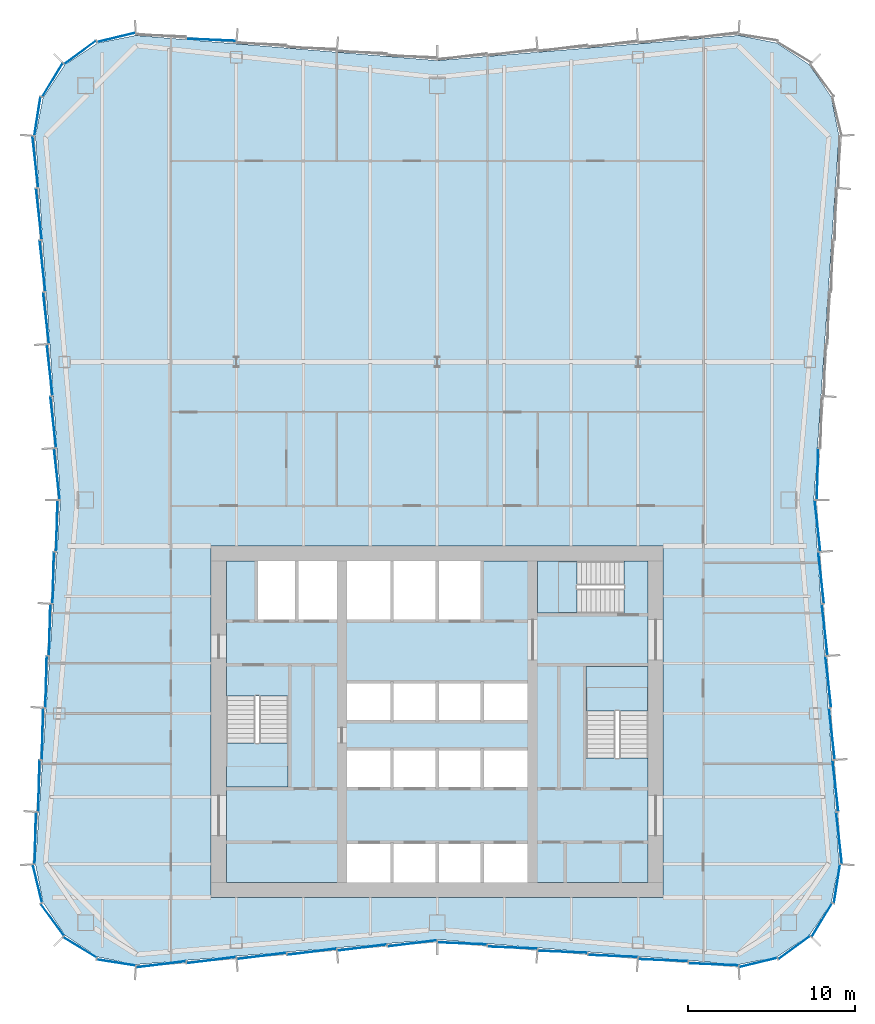
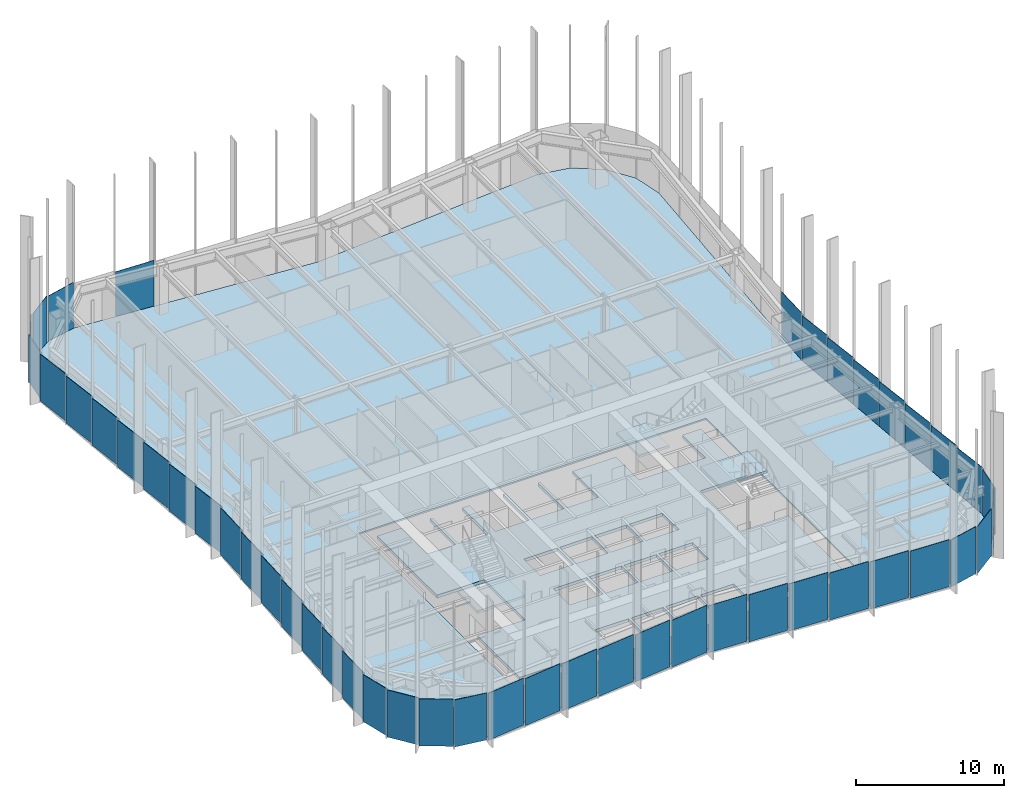
# One storey, part 8 of 13: 47 plates, 5 slabs, 10 elements without a shape of their own.
"""IFC4 building model written with IfcOpenShell, lengths in metres."""

from ifc_helpers import new_model, si_unit, direction, frame, origin, origin_2d, place, context, subcontext, project, spatial, polyline, rectangle, outline, extrude, material, layer, layer_set, type_object, element, aggregate, save


model = new_model("IFC4")

# Units and contexts
model_context = context("Model", 3, precision=1e-05, world=origin(), true_north=direction((0.0, 1.0)))
body_context = subcontext(model_context, "Body", "Model", "MODEL_VIEW")
ifc_project = project(units=[si_unit("LENGTHUNIT", "METRE"), si_unit("AREAUNIT", "SQUARE_METRE"), si_unit("VOLUMEUNIT", "CUBIC_METRE"), si_unit("PLANEANGLEUNIT", "RADIAN"), si_unit("MASSUNIT", "GRAM", prefix="KILO")], contexts=[model_context])

# Site, building, storey
site_placement = place(None, origin())
site = spatial("IfcSite", under=ifc_project, at=site_placement, CompositionType="ELEMENT")
building_placement = place(site_placement, origin())
building = spatial("IfcBuilding", under=site, at=building_placement, Name="Verdant Reach Tower", CompositionType="ELEMENT")
storey_placement = place(building_placement, frame((0.0, 0.0, 182.0)))
storey = spatial("IfcBuildingStorey", under=building, at=storey_placement, Name="L41", CompositionType="ELEMENT", Elevation=182.0)

# Stair, slab
ifc_material_1 = material(Name="Concrete C40/50", Category="concrete")
stair_type = type_object("IfcStairType", Name="CO-STAIR", PredefinedType="HALF_TURN_STAIR", material=ifc_material_1)
stair_1_placement = place(storey_placement, origin())
stair_1 = element("IfcStair", 1, at=stair_1_placement, inside=storey, type_object=stair_type, Name="L41 Exit stair 1", PredefinedType="HALF_TURN_STAIR")
ifc_layer_1 = layer(ifc_material_1, 0.199951171875)
ifc_layer_set_1 = layer_set([ifc_layer_1], Name="CO-STAIR-LANDING")
slab_type_1 = type_object("IfcSlabType", Name="CO-STAIR-LANDING", PredefinedType="LANDING", material=ifc_layer_set_1)
slab_1_placement = place(storey_placement, frame((0.0, 0.0, 1.800048828125)))
slab_1 = element("IfcSlab", 2, at=slab_1_placement, type_object=slab_type_1, Name="ST-1 landing 1", PredefinedType="LANDING", context=body_context, shape_type="SweptSolid", body=[
    extrude(outline(polyline([(-12.60009765625, 26.75), (-12.60009765625, 24.10009765625), (-8.89990234375, 24.10009765625), (-8.89990234375, 26.75), (-12.60009765625, 26.75)])), origin(), (0.0, 0.0, 1.0), 0.199951171875),
])
aggregate(stair_1, [slab_1])

stair_2_placement = place(storey_placement, origin())
stair_2 = element("IfcStair", 3, at=stair_2_placement, inside=storey, type_object=stair_type, Name="L41 Exit stair 2", PredefinedType="HALF_TURN_STAIR")
slab_2_placement = place(storey_placement, frame((0.0, 0.0, 1.800048828125)))
slab_2 = element("IfcSlab", 4, at=slab_2_placement, type_object=slab_type_1, Name="ST-2 landing 1", PredefinedType="LANDING", context=body_context, shape_type="SweptSolid", body=[
    extrude(outline(polyline([(12.60009765625, 28.64990234375), (12.60009765625, 31.300048828125), (8.89990234375, 31.300048828125), (8.89990234375, 28.64990234375), (12.60009765625, 28.64990234375)])), origin(), (0.0, 0.0, 1.0), 0.199951171875),
])
aggregate(stair_2, [slab_2])

stair_3_placement = place(storey_placement, origin())
stair_3 = element("IfcStair", 5, at=stair_3_placement, inside=storey, type_object=stair_type, Name="L41 Exit stair 3", PredefinedType="HALF_TURN_STAIR")
slab_3_placement = place(storey_placement, frame((0.0, 0.0, 1.800048828125)))
slab_3 = element("IfcSlab", 6, at=slab_3_placement, type_object=slab_type_1, Name="ST-3 landing 1", PredefinedType="LANDING", context=body_context, shape_type="SweptSolid", body=[
    extrude(outline(polyline([(8.35009765625, 37.60009765625), (6.0, 37.60009765625), (6.0, 34.5), (8.35009765625, 34.5), (8.35009765625, 37.60009765625)])), origin(), (0.0, 0.0, 1.0), 0.199951171875),
])
aggregate(stair_3, [slab_3])

# Curtain wall, plates
ifc_material_2 = material(Name="Anodised aluminium", Category="aluminium")
curtain_wall_type = type_object("IfcCurtainWallType", Name="EN-CW SYSTEM Z3", PredefinedType="NOTDEFINED", material=ifc_material_2)
curtain_wall_1_placement = place(storey_placement, origin())
curtain_wall_1 = element("IfcCurtainWall", 7, at=curtain_wall_1_placement, inside=storey, type_object=curtain_wall_type, Name="Curtain wall south-east corner, L41", PredefinedType="NOTDEFINED")
ifc_material_3 = material(Name="Tinted glass with champagne spandrel", Category="glass")
ifc_layer_2 = layer(ifc_material_3, 0.031982421875)
ifc_layer_set_2 = layer_set([ifc_layer_2], Name="EN-PANEL CHAMPAGNE")
plate_type_1 = type_object("IfcPlateType", Name="EN-PANEL CHAMPAGNE", PredefinedType="CURTAIN_PANEL", material=ifc_layer_set_2)
plate_1_placement = place(storey_placement, frame((19.171875, 13.62353515625, -0.22412109375), z_axis=(0.0, 0.0, 1.0), x_axis=(0.971655117833, 0.236402901821, 0.0)))
plate_1 = element("IfcPlate", 8, at=plate_1_placement, type_object=plate_type_1, Name="Glass panel south-east corner 1.1, L41", PredefinedType="CURTAIN_PANEL", context=body_context, shape_type="SweptSolid", body=[
    extrude(rectangle(XDim=2.3154296875, YDim=0.031982421875, at=origin_2d()), origin(), (0.0, 0.0, 1.0), 3.8740234375),
])
plate_2_placement = place(storey_placement, frame((21.328857421875, 14.51806640625, -0.22412109375), z_axis=(0.0, 0.0, 1.0), x_axis=(0.807456768214, 0.589926747542, 0.0)))
plate_2 = element("IfcPlate", 9, at=plate_2_placement, type_object=plate_type_1, Name="Glass panel south-east corner 2.1, L41", PredefinedType="CURTAIN_PANEL", context=body_context, shape_type="SweptSolid", body=[
    extrude(rectangle(XDim=2.321533203125, YDim=0.031982421875, at=origin_2d()), origin(), (0.0, 0.0, 1.0), 3.8740234375),
])
plate_3_placement = place(storey_placement, frame((22.98193359375, 16.171142578125, -0.22412109375), z_axis=(0.0, 0.0, 1.0), x_axis=(0.520291550457, 0.853988701636, 0.0)))
plate_3 = element("IfcPlate", 10, at=plate_3_placement, type_object=plate_type_1, Name="Glass panel south-east corner 3.1, L41", PredefinedType="CURTAIN_PANEL", context=body_context, shape_type="SweptSolid", body=[
    extrude(rectangle(XDim=2.321533203125, YDim=0.031982421875, at=origin_2d()), origin(), (0.0, 0.0, 1.0), 3.8740234375),
])

curtain_wall_2_placement = place(storey_placement, origin())
curtain_wall_2 = element("IfcCurtainWall", 11, at=curtain_wall_2_placement, inside=storey, type_object=curtain_wall_type, Name="Curtain wall east, L41", PredefinedType="NOTDEFINED")
plate_4_placement = place(storey_placement, frame((24.001708984375, 21.053955078125, -0.22412109375), z_axis=(0.0, 0.0, 1.0), x_axis=(-0.110214229533, 0.993907854687, 0.0)))
plate_4 = element("IfcPlate", 12, at=plate_4_placement, type_object=plate_type_1, Name="Glass panel east face part 1 1.1, L41", PredefinedType="CURTAIN_PANEL", context=body_context, shape_type="SweptSolid", body=[
    extrude(rectangle(XDim=3.06689453125, YDim=0.031982421875, at=origin_2d()), origin(), (0.0, 0.0, 1.0), 3.8740234375),
])
plate_5_placement = place(storey_placement, frame((22.716064453125, 39.7001953125, -0.22412109375), z_axis=(0.0, 0.0, 1.0), x_axis=(-0.110600785385, 0.993864913493, 0.0)))
plate_5 = element("IfcPlate", 13, at=plate_5_placement, type_object=plate_type_1, Name="Glass panel east face part 1 7.1, L41", PredefinedType="CURTAIN_PANEL", context=body_context, shape_type="SweptSolid", body=[
    extrude(rectangle(XDim=3.044921875, YDim=0.031982421875, at=origin_2d()), origin(), (0.0, 0.0, 1.0), 3.8740234375),
])
plate_6_placement = place(storey_placement, frame((22.716064453125, 42.7998046875, -0.22412109375), z_axis=(0.0, 0.0, 1.0), x_axis=(0.027048420339, 0.999634124546, 0.0)))
plate_6 = element("IfcPlate", 14, at=plate_6_placement, type_object=plate_type_1, Name="Glass panel east face part 2 1.1, L41", PredefinedType="CURTAIN_PANEL", context=body_context, shape_type="SweptSolid", body=[
    extrude(rectangle(XDim=3.044921875, YDim=0.031982421875, at=origin_2d()), origin(), (0.0, 0.0, 1.0), 3.8740234375),
])

curtain_wall_3_placement = place(storey_placement, origin())
curtain_wall_3 = element("IfcCurtainWall", 15, at=curtain_wall_3_placement, inside=storey, type_object=curtain_wall_type, Name="Curtain wall west, L41", PredefinedType="NOTDEFINED")
plate_7_placement = place(storey_placement, frame((-23.572998046875, 55.224609375, -0.22412109375), z_axis=(0.0, 0.0, 1.0), x_axis=(0.110518162674, -0.993874104562, 0.0)))
plate_7 = element("IfcPlate", 16, at=plate_7_placement, type_object=plate_type_1, Name="Glass panel west face part 1 3.1, L41", PredefinedType="CURTAIN_PANEL", context=body_context, shape_type="SweptSolid", body=[
    extrude(rectangle(XDim=3.052490234375, YDim=0.031982421875, at=origin_2d()), origin(), (0.0, 0.0, 1.0), 3.8740234375),
])
plate_8_placement = place(storey_placement, frame((-23.358642578125, 52.117431640625, -0.22412109375), z_axis=(0.0, 0.0, 1.0), x_axis=(0.110518162674, -0.993874104562, 0.0)))
plate_8 = element("IfcPlate", 17, at=plate_8_placement, type_object=plate_type_1, Name="Glass panel west face part 1 4.1, L41", PredefinedType="CURTAIN_PANEL", context=body_context, shape_type="SweptSolid", body=[
    extrude(rectangle(XDim=3.052490234375, YDim=0.031982421875, at=origin_2d()), origin(), (0.0, 0.0, 1.0), 3.8740234375),
])
plate_9_placement = place(storey_placement, frame((-23.14453125, 49.01025390625, -0.22412109375), z_axis=(0.0, 0.0, 1.0), x_axis=(0.110518162674, -0.993874104562, 0.0)))
plate_9 = element("IfcPlate", 18, at=plate_9_placement, type_object=plate_type_1, Name="Glass panel west face part 1 5.1, L41", PredefinedType="CURTAIN_PANEL", context=body_context, shape_type="SweptSolid", body=[
    extrude(rectangle(XDim=3.052490234375, YDim=0.031982421875, at=origin_2d()), origin(), (0.0, 0.0, 1.0), 3.8740234375),
])
plate_10_placement = place(storey_placement, frame((-23.572998046875, 27.275390625, -0.22412109375), z_axis=(0.0, 0.0, 1.0), x_axis=(-0.026965318308, -0.999636369691, 0.0)))
plate_10 = element("IfcPlate", 19, at=plate_10_placement, type_object=plate_type_1, Name="Glass panel west face part 2 5.1, L41", PredefinedType="CURTAIN_PANEL", context=body_context, shape_type="SweptSolid", body=[
    extrude(rectangle(XDim=3.052490234375, YDim=0.031982421875, at=origin_2d()), origin(), (0.0, 0.0, 1.0), 3.8740234375),
])
plate_11_placement = place(storey_placement, frame((-23.787353515625, 24.168212890625, -0.22412109375), z_axis=(0.0, 0.0, 1.0), x_axis=(-0.026965318308, -0.999636369691, 0.0)))
plate_11 = element("IfcPlate", 20, at=plate_11_placement, type_object=plate_type_1, Name="Glass panel west face part 2 6.1, L41", PredefinedType="CURTAIN_PANEL", context=body_context, shape_type="SweptSolid", body=[
    extrude(rectangle(XDim=3.052490234375, YDim=0.031982421875, at=origin_2d()), origin(), (0.0, 0.0, 1.0), 3.8740234375),
])

curtain_wall_4_placement = place(storey_placement, origin())
curtain_wall_4 = element("IfcCurtainWall", 21, at=curtain_wall_4_placement, inside=storey, type_object=curtain_wall_type, Name="Curtain wall south-west corner, L41", PredefinedType="NOTDEFINED")
plate_12_placement = place(storey_placement, frame((-21.328857421875, 14.51806640625, -0.22412109375), z_axis=(0.0, 0.0, 1.0), x_axis=(0.853988701636, -0.520291550457, 0.0)))
plate_12 = element("IfcPlate", 22, at=plate_12_placement, type_object=plate_type_1, Name="Glass panel south-west corner 3.1, L41", PredefinedType="CURTAIN_PANEL", context=body_context, shape_type="SweptSolid", body=[
    extrude(rectangle(XDim=2.321533203125, YDim=0.031982421875, at=origin_2d()), origin(), (0.0, 0.0, 1.0), 3.8740234375),
])
plate_13_placement = place(storey_placement, frame((-19.171875, 13.62353515625, -0.22412109375), z_axis=(0.0, 0.0, 1.0), x_axis=(0.988029071555, -0.154267798848, 0.0)))
plate_13 = element("IfcPlate", 23, at=plate_13_placement, type_object=plate_type_1, Name="Glass panel south-west corner 4.1, L41", PredefinedType="CURTAIN_PANEL", context=body_context, shape_type="SweptSolid", body=[
    extrude(rectangle(XDim=2.3154296875, YDim=0.031982421875, at=origin_2d()), origin(), (0.0, 0.0, 1.0), 3.8740234375),
])

curtain_wall_5_placement = place(storey_placement, origin())
curtain_wall_5 = element("IfcCurtainWall", 24, at=curtain_wall_5_placement, inside=storey, type_object=curtain_wall_type, Name="Curtain wall south, L41", PredefinedType="NOTDEFINED")
plate_14_placement = place(storey_placement, frame((-16.49853515625, 13.516357421875, -0.22412109375), z_axis=(0.0, 0.0, 1.0), x_axis=(0.992237766434, 0.124355196363, 0.0)))
plate_14 = element("IfcPlate", 25, at=plate_14_placement, type_object=plate_type_1, Name="Glass panel south face part 1 1.1, L41", PredefinedType="CURTAIN_PANEL", context=body_context, shape_type="SweptSolid", body=[
    extrude(rectangle(XDim=2.963623046875, YDim=0.031982421875, at=origin_2d()), origin(), (0.0, 0.0, 1.0), 3.8740234375),
])
plate_15_placement = place(storey_placement, frame((-13.490966796875, 13.766357421875, -0.22412109375), z_axis=(0.0, 0.0, 1.0), x_axis=(0.992194034542, 0.124703639961, 0.0)))
plate_15 = element("IfcPlate", 26, at=plate_15_placement, type_object=plate_type_1, Name="Glass panel south face part 1 2.1, L41", PredefinedType="CURTAIN_PANEL", context=body_context, shape_type="SweptSolid", body=[
    extrude(rectangle(XDim=2.948486328125, YDim=0.031982421875, at=origin_2d()), origin(), (0.0, 0.0, 1.0), 3.8740234375),
])
plate_16_placement = place(storey_placement, frame((-10.490966796875, 14.016357421875, -0.22412109375), z_axis=(0.0, 0.0, 1.0), x_axis=(0.992194034542, 0.124703639961, 0.0)))
plate_16 = element("IfcPlate", 27, at=plate_16_placement, type_object=plate_type_1, Name="Glass panel south face part 1 3.1, L41", PredefinedType="CURTAIN_PANEL", context=body_context, shape_type="SweptSolid", body=[
    extrude(rectangle(XDim=2.948486328125, YDim=0.031982421875, at=origin_2d()), origin(), (0.0, 0.0, 1.0), 3.8740234375),
])
plate_17_placement = place(storey_placement, frame((7.490966796875, 14.266357421875, -0.22412109375), z_axis=(0.0, 0.0, 1.0), x_axis=(0.999149202059, -0.041241629766, 0.0)))
plate_17 = element("IfcPlate", 28, at=plate_17_placement, type_object=plate_type_1, Name="Glass panel south face part 2 3.1, L41", PredefinedType="CURTAIN_PANEL", context=body_context, shape_type="SweptSolid", body=[
    extrude(rectangle(XDim=2.948486328125, YDim=0.031982421875, at=origin_2d()), origin(), (0.0, 0.0, 1.0), 3.8740234375),
])
plate_18_placement = place(storey_placement, frame((10.490966796875, 14.016357421875, -0.22412109375), z_axis=(0.0, 0.0, 1.0), x_axis=(0.999149202059, -0.041241629766, 0.0)))
plate_18 = element("IfcPlate", 29, at=plate_18_placement, type_object=plate_type_1, Name="Glass panel south face part 2 4.1, L41", PredefinedType="CURTAIN_PANEL", context=body_context, shape_type="SweptSolid", body=[
    extrude(rectangle(XDim=2.948486328125, YDim=0.031982421875, at=origin_2d()), origin(), (0.0, 0.0, 1.0), 3.8740234375),
])

# Plate
ifc_material_4 = material(Name="Tinted glass with copper spandrel", Category="glass")
ifc_layer_3 = layer(ifc_material_4, 0.031982421875)
ifc_layer_set_3 = layer_set([ifc_layer_3], Name="EN-PANEL COPPER")
plate_type_2 = type_object("IfcPlateType", Name="EN-PANEL COPPER", PredefinedType="CURTAIN_PANEL", material=ifc_layer_set_3)
plate_19_placement = place(storey_placement, frame((23.87646484375, 18.32763671875, -0.22412109375), z_axis=(0.0, 0.0, 1.0), x_axis=(0.154311870796, 0.988022189291, 0.0)))
plate_19 = element("IfcPlate", 30, at=plate_19_placement, type_object=plate_type_2, Name="Glass panel south-east corner 4.1, L41", PredefinedType="CURTAIN_PANEL", context=body_context, shape_type="SweptSolid", body=[
    extrude(rectangle(XDim=2.314697265625, YDim=0.031982421875, at=origin_2d()), origin(), (0.0, 0.0, 1.0), 3.8740234375),
])

aggregate(curtain_wall_1, [plate_1, plate_2, plate_3, plate_19])

plate_20_placement = place(storey_placement, frame((23.787353515625, 24.168212890625, -0.22412109375), z_axis=(0.0, 0.0, 1.0), x_axis=(-0.110518162674, 0.993874104562, 0.0)))
plate_20 = element("IfcPlate", 31, at=plate_20_placement, type_object=plate_type_2, Name="Glass panel east face part 1 2.1, L41", PredefinedType="CURTAIN_PANEL", context=body_context, shape_type="SweptSolid", body=[
    extrude(rectangle(XDim=3.052490234375, YDim=0.031982421875, at=origin_2d()), origin(), (0.0, 0.0, 1.0), 3.8740234375),
])

plate_21_placement = place(storey_placement, frame((23.572998046875, 27.275390625, -0.22412109375), z_axis=(0.0, 0.0, 1.0), x_axis=(-0.110518162674, 0.993874104562, 0.0)))
plate_21 = element("IfcPlate", 32, at=plate_21_placement, type_object=plate_type_2, Name="Glass panel east face part 1 3.1, L41", PredefinedType="CURTAIN_PANEL", context=body_context, shape_type="SweptSolid", body=[
    extrude(rectangle(XDim=3.052490234375, YDim=0.031982421875, at=origin_2d()), origin(), (0.0, 0.0, 1.0), 3.8740234375),
])

# Curtain wall, plates
curtain_wall_6_placement = place(storey_placement, origin())
curtain_wall_6 = element("IfcCurtainWall", 33, at=curtain_wall_6_placement, inside=storey, type_object=curtain_wall_type, Name="Curtain wall north-west corner, L41", PredefinedType="NOTDEFINED")
plate_22_placement = place(storey_placement, frame((-19.171875, 68.87646484375, -0.22412109375), z_axis=(0.0, 0.0, 1.0), x_axis=(-0.971655117833, -0.236402901821, 0.0)))
plate_22 = element("IfcPlate", 34, at=plate_22_placement, type_object=plate_type_2, Name="Glass panel north-west corner 1.1, L41", PredefinedType="CURTAIN_PANEL", context=body_context, shape_type="SweptSolid", body=[
    extrude(rectangle(XDim=2.3154296875, YDim=0.031982421875, at=origin_2d()), origin(), (0.0, 0.0, 1.0), 3.8740234375),
])
plate_23_placement = place(storey_placement, frame((-21.328857421875, 67.98193359375, -0.22412109375), z_axis=(0.0, 0.0, 1.0), x_axis=(-0.807456768214, -0.589926747542, 0.0)))
plate_23 = element("IfcPlate", 35, at=plate_23_placement, type_object=plate_type_2, Name="Glass panel north-west corner 2.1, L41", PredefinedType="CURTAIN_PANEL", context=body_context, shape_type="SweptSolid", body=[
    extrude(rectangle(XDim=2.321533203125, YDim=0.031982421875, at=origin_2d()), origin(), (0.0, 0.0, 1.0), 3.8740234375),
])

# Plate
plate_24_placement = place(storey_placement, frame((-22.93017578125, 45.9033203125, -0.22412109375), z_axis=(0.0, 0.0, 1.0), x_axis=(0.110518162674, -0.993874104562, 0.0)))
plate_24 = element("IfcPlate", 36, at=plate_24_placement, type_object=plate_type_2, Name="Glass panel west face part 1 6.1, L41", PredefinedType="CURTAIN_PANEL", context=body_context, shape_type="SweptSolid", body=[
    extrude(rectangle(XDim=3.052490234375, YDim=0.031982421875, at=origin_2d()), origin(), (0.0, 0.0, 1.0), 3.8740234375),
])

plate_25_placement = place(storey_placement, frame((-22.716064453125, 42.7998046875, -0.22412109375), z_axis=(0.0, 0.0, 1.0), x_axis=(0.110600785385, -0.993864913493, 0.0)))
plate_25 = element("IfcPlate", 37, at=plate_25_placement, type_object=plate_type_2, Name="Glass panel west face part 1 7.1, L41", PredefinedType="CURTAIN_PANEL", context=body_context, shape_type="SweptSolid", body=[
    extrude(rectangle(XDim=3.044921875, YDim=0.031982421875, at=origin_2d()), origin(), (0.0, 0.0, 1.0), 3.8740234375),
])

plate_26_placement = place(storey_placement, frame((-22.716064453125, 39.7001953125, -0.22412109375), z_axis=(0.0, 0.0, 1.0), x_axis=(-0.027048420339, -0.999634124546, 0.0)))
plate_26 = element("IfcPlate", 38, at=plate_26_placement, type_object=plate_type_2, Name="Glass panel west face part 2 1.1, L41", PredefinedType="CURTAIN_PANEL", context=body_context, shape_type="SweptSolid", body=[
    extrude(rectangle(XDim=3.044921875, YDim=0.031982421875, at=origin_2d()), origin(), (0.0, 0.0, 1.0), 3.8740234375),
])

plate_27_placement = place(storey_placement, frame((-24.001708984375, 21.053955078125, -0.22412109375), z_axis=(0.0, 0.0, 1.0), x_axis=(-0.026659626966, -0.999644568979, 0.0)))
plate_27 = element("IfcPlate", 39, at=plate_27_placement, type_object=plate_type_2, Name="Glass panel west face part 2 7.1, L41", PredefinedType="CURTAIN_PANEL", context=body_context, shape_type="SweptSolid", body=[
    extrude(rectangle(XDim=3.06689453125, YDim=0.031982421875, at=origin_2d()), origin(), (0.0, 0.0, 1.0), 3.8740234375),
])

plate_28_placement = place(storey_placement, frame((-7.490966796875, 14.266357421875, -0.22412109375), z_axis=(0.0, 0.0, 1.0), x_axis=(0.992194034542, 0.124703639961, 0.0)))
plate_28 = element("IfcPlate", 40, at=plate_28_placement, type_object=plate_type_2, Name="Glass panel south face part 1 4.1, L41", PredefinedType="CURTAIN_PANEL", context=body_context, shape_type="SweptSolid", body=[
    extrude(rectangle(XDim=2.948486328125, YDim=0.031982421875, at=origin_2d()), origin(), (0.0, 0.0, 1.0), 3.8740234375),
])

plate_29_placement = place(storey_placement, frame((-4.490966796875, 14.516357421875, -0.22412109375), z_axis=(0.0, 0.0, 1.0), x_axis=(0.992194034542, 0.124703639961, 0.0)))
plate_29 = element("IfcPlate", 41, at=plate_29_placement, type_object=plate_type_2, Name="Glass panel south face part 1 5.1, L41", PredefinedType="CURTAIN_PANEL", context=body_context, shape_type="SweptSolid", body=[
    extrude(rectangle(XDim=2.948486328125, YDim=0.031982421875, at=origin_2d()), origin(), (0.0, 0.0, 1.0), 3.8740234375),
])

plate_30_placement = place(storey_placement, frame((13.490966796875, 13.766357421875, -0.22412109375), z_axis=(0.0, 0.0, 1.0), x_axis=(0.999149202059, -0.041241629766, 0.0)))
plate_30 = element("IfcPlate", 42, at=plate_30_placement, type_object=plate_type_2, Name="Glass panel south face part 2 5.1, L41", PredefinedType="CURTAIN_PANEL", context=body_context, shape_type="SweptSolid", body=[
    extrude(rectangle(XDim=2.948486328125, YDim=0.031982421875, at=origin_2d()), origin(), (0.0, 0.0, 1.0), 3.8740234375),
])

plate_31_placement = place(storey_placement, frame((16.49853515625, 13.516357421875, -0.22412109375), z_axis=(0.0, 0.0, 1.0), x_axis=(0.999163623568, -0.040890748818, 0.0)))
plate_31 = element("IfcPlate", 43, at=plate_31_placement, type_object=plate_type_2, Name="Glass panel south face part 2 6.1, L41", PredefinedType="CURTAIN_PANEL", context=body_context, shape_type="SweptSolid", body=[
    extrude(rectangle(XDim=2.963623046875, YDim=0.031982421875, at=origin_2d()), origin(), (0.0, 0.0, 1.0), 3.8740234375),
])

ifc_material_5 = material(Name="Tinted glass with dark bronze spandrel", Category="glass")
ifc_layer_4 = layer(ifc_material_5, 0.031982421875)
ifc_layer_set_4 = layer_set([ifc_layer_4], Name="EN-PANEL DARK")
plate_type_3 = type_object("IfcPlateType", Name="EN-PANEL DARK", PredefinedType="CURTAIN_PANEL", material=ifc_layer_set_4)
plate_32_placement = place(storey_placement, frame((23.358642578125, 30.382568359375, -0.22412109375), z_axis=(0.0, 0.0, 1.0), x_axis=(-0.110518162674, 0.993874104562, 0.0)))
plate_32 = element("IfcPlate", 44, at=plate_32_placement, type_object=plate_type_3, Name="Glass panel east face part 1 4.1, L41", PredefinedType="CURTAIN_PANEL", context=body_context, shape_type="SweptSolid", body=[
    extrude(rectangle(XDim=3.052490234375, YDim=0.031982421875, at=origin_2d()), origin(), (0.0, 0.0, 1.0), 3.8740234375),
])

plate_33_placement = place(storey_placement, frame((23.14453125, 33.48974609375, -0.22412109375), z_axis=(0.0, 0.0, 1.0), x_axis=(-0.110518162674, 0.993874104562, 0.0)))
plate_33 = element("IfcPlate", 45, at=plate_33_placement, type_object=plate_type_3, Name="Glass panel east face part 1 5.1, L41", PredefinedType="CURTAIN_PANEL", context=body_context, shape_type="SweptSolid", body=[
    extrude(rectangle(XDim=3.052490234375, YDim=0.031982421875, at=origin_2d()), origin(), (0.0, 0.0, 1.0), 3.8740234375),
])

plate_34_placement = place(storey_placement, frame((22.93017578125, 36.5966796875, -0.22412109375), z_axis=(0.0, 0.0, 1.0), x_axis=(-0.110518162674, 0.993874104562, 0.0)))
plate_34 = element("IfcPlate", 46, at=plate_34_placement, type_object=plate_type_3, Name="Glass panel east face part 1 6.1, L41", PredefinedType="CURTAIN_PANEL", context=body_context, shape_type="SweptSolid", body=[
    extrude(rectangle(XDim=3.052490234375, YDim=0.031982421875, at=origin_2d()), origin(), (0.0, 0.0, 1.0), 3.8740234375),
])

aggregate(curtain_wall_2, [plate_4, plate_20, plate_21, plate_32, plate_33, plate_34, plate_5, plate_6])

# Curtain wall, plate
curtain_wall_7_placement = place(storey_placement, origin())
curtain_wall_7 = element("IfcCurtainWall", 47, at=curtain_wall_7_placement, inside=storey, type_object=curtain_wall_type, Name="Curtain wall north, L41", PredefinedType="NOTDEFINED")
plate_35_placement = place(storey_placement, frame((-13.490966796875, 68.733642578125, -0.22412109375), z_axis=(0.0, 0.0, 1.0), x_axis=(-0.999149202059, 0.041241629766, 0.0)))
plate_35 = element("IfcPlate", 48, at=plate_35_placement, type_object=plate_type_3, Name="Glass panel north face part 2 5.1, L41", PredefinedType="CURTAIN_PANEL", context=body_context, shape_type="SweptSolid", body=[
    extrude(rectangle(XDim=2.948486328125, YDim=0.031982421875, at=origin_2d()), origin(), (0.0, 0.0, 1.0), 3.8740234375),
])
aggregate(curtain_wall_7, [plate_35])

# Plate
plate_36_placement = place(storey_placement, frame((-22.98193359375, 66.328857421875, -0.22412109375), z_axis=(0.0, 0.0, 1.0), x_axis=(-0.520291550457, -0.853988701636, 0.0)))
plate_36 = element("IfcPlate", 49, at=plate_36_placement, type_object=plate_type_3, Name="Glass panel north-west corner 3.1, L41", PredefinedType="CURTAIN_PANEL", context=body_context, shape_type="SweptSolid", body=[
    extrude(rectangle(XDim=2.321533203125, YDim=0.031982421875, at=origin_2d()), origin(), (0.0, 0.0, 1.0), 3.8740234375),
])

plate_37_placement = place(storey_placement, frame((-23.87646484375, 64.17236328125, -0.22412109375), z_axis=(0.0, 0.0, 1.0), x_axis=(-0.154311870796, -0.988022189291, 0.0)))
plate_37 = element("IfcPlate", 50, at=plate_37_placement, type_object=plate_type_3, Name="Glass panel north-west corner 4.1, L41", PredefinedType="CURTAIN_PANEL", context=body_context, shape_type="SweptSolid", body=[
    extrude(rectangle(XDim=2.314697265625, YDim=0.031982421875, at=origin_2d()), origin(), (0.0, 0.0, 1.0), 3.8740234375),
])

aggregate(curtain_wall_6, [plate_22, plate_23, plate_36, plate_37])

plate_38_placement = place(storey_placement, frame((-24.001708984375, 61.446044921875, -0.22412109375), z_axis=(0.0, 0.0, 1.0), x_axis=(0.110214229533, -0.993907854687, 0.0)))
plate_38 = element("IfcPlate", 51, at=plate_38_placement, type_object=plate_type_3, Name="Glass panel west face part 1 1.1, L41", PredefinedType="CURTAIN_PANEL", context=body_context, shape_type="SweptSolid", body=[
    extrude(rectangle(XDim=3.06689453125, YDim=0.031982421875, at=origin_2d()), origin(), (0.0, 0.0, 1.0), 3.8740234375),
])

plate_39_placement = place(storey_placement, frame((-23.787353515625, 58.331787109375, -0.22412109375), z_axis=(0.0, 0.0, 1.0), x_axis=(0.110518162674, -0.993874104562, 0.0)))
plate_39 = element("IfcPlate", 52, at=plate_39_placement, type_object=plate_type_3, Name="Glass panel west face part 1 2.1, L41", PredefinedType="CURTAIN_PANEL", context=body_context, shape_type="SweptSolid", body=[
    extrude(rectangle(XDim=3.052490234375, YDim=0.031982421875, at=origin_2d()), origin(), (0.0, 0.0, 1.0), 3.8740234375),
])

plate_40_placement = place(storey_placement, frame((-22.93017578125, 36.5966796875, -0.22412109375), z_axis=(0.0, 0.0, 1.0), x_axis=(-0.026965318308, -0.999636369691, 0.0)))
plate_40 = element("IfcPlate", 53, at=plate_40_placement, type_object=plate_type_3, Name="Glass panel west face part 2 2.1, L41", PredefinedType="CURTAIN_PANEL", context=body_context, shape_type="SweptSolid", body=[
    extrude(rectangle(XDim=3.052490234375, YDim=0.031982421875, at=origin_2d()), origin(), (0.0, 0.0, 1.0), 3.8740234375),
])

plate_41_placement = place(storey_placement, frame((-23.14453125, 33.48974609375, -0.22412109375), z_axis=(0.0, 0.0, 1.0), x_axis=(-0.026965318308, -0.999636369691, 0.0)))
plate_41 = element("IfcPlate", 54, at=plate_41_placement, type_object=plate_type_3, Name="Glass panel west face part 2 3.1, L41", PredefinedType="CURTAIN_PANEL", context=body_context, shape_type="SweptSolid", body=[
    extrude(rectangle(XDim=3.052490234375, YDim=0.031982421875, at=origin_2d()), origin(), (0.0, 0.0, 1.0), 3.8740234375),
])

plate_42_placement = place(storey_placement, frame((-23.358642578125, 30.382568359375, -0.22412109375), z_axis=(0.0, 0.0, 1.0), x_axis=(-0.026965318308, -0.999636369691, 0.0)))
plate_42 = element("IfcPlate", 55, at=plate_42_placement, type_object=plate_type_3, Name="Glass panel west face part 2 4.1, L41", PredefinedType="CURTAIN_PANEL", context=body_context, shape_type="SweptSolid", body=[
    extrude(rectangle(XDim=3.052490234375, YDim=0.031982421875, at=origin_2d()), origin(), (0.0, 0.0, 1.0), 3.8740234375),
])

aggregate(curtain_wall_3, [plate_38, plate_39, plate_7, plate_8, plate_9, plate_24, plate_25, plate_26, plate_40, plate_41, plate_42, plate_10, plate_11, plate_27])

plate_43_placement = place(storey_placement, frame((-23.87646484375, 18.32763671875, -0.22412109375), z_axis=(0.0, 0.0, 1.0), x_axis=(0.23644624331, -0.97164457186, 0.0)))
plate_43 = element("IfcPlate", 56, at=plate_43_placement, type_object=plate_type_3, Name="Glass panel south-west corner 1.1, L41", PredefinedType="CURTAIN_PANEL", context=body_context, shape_type="SweptSolid", body=[
    extrude(rectangle(XDim=2.314697265625, YDim=0.031982421875, at=origin_2d()), origin(), (0.0, 0.0, 1.0), 3.8740234375),
])

plate_44_placement = place(storey_placement, frame((-22.98193359375, 16.171142578125, -0.22412109375), z_axis=(0.0, 0.0, 1.0), x_axis=(0.589926747542, -0.807456768214, 0.0)))
plate_44 = element("IfcPlate", 57, at=plate_44_placement, type_object=plate_type_3, Name="Glass panel south-west corner 2.1, L41", PredefinedType="CURTAIN_PANEL", context=body_context, shape_type="SweptSolid", body=[
    extrude(rectangle(XDim=2.321533203125, YDim=0.031982421875, at=origin_2d()), origin(), (0.0, 0.0, 1.0), 3.8740234375),
])

aggregate(curtain_wall_4, [plate_43, plate_44, plate_12, plate_13])

plate_45_placement = place(storey_placement, frame((-1.495361328125, 14.76611328125, -0.22412109375), z_axis=(0.0, 0.0, 1.0), x_axis=(0.992178382939, 0.124828107529, 0.0)))
plate_45 = element("IfcPlate", 58, at=plate_45_placement, type_object=plate_type_3, Name="Glass panel south face part 1 6.1, L41", PredefinedType="CURTAIN_PANEL", context=body_context, shape_type="SweptSolid", body=[
    extrude(rectangle(XDim=2.939453125, YDim=0.031982421875, at=origin_2d()), origin(), (0.0, 0.0, 1.0), 3.8740234375),
])

plate_46_placement = place(storey_placement, frame((1.495361328125, 14.76611328125, -0.22412109375), z_axis=(0.0, 0.0, 1.0), x_axis=(0.999144020525, -0.041366970501, 0.0)))
plate_46 = element("IfcPlate", 59, at=plate_46_placement, type_object=plate_type_3, Name="Glass panel south face part 2 1.1, L41", PredefinedType="CURTAIN_PANEL", context=body_context, shape_type="SweptSolid", body=[
    extrude(rectangle(XDim=2.939453125, YDim=0.031982421875, at=origin_2d()), origin(), (0.0, 0.0, 1.0), 3.8740234375),
])

plate_47_placement = place(storey_placement, frame((4.490966796875, 14.516357421875, -0.22412109375), z_axis=(0.0, 0.0, 1.0), x_axis=(0.999149202059, -0.041241629766, 0.0)))
plate_47 = element("IfcPlate", 60, at=plate_47_placement, type_object=plate_type_3, Name="Glass panel south face part 2 2.1, L41", PredefinedType="CURTAIN_PANEL", context=body_context, shape_type="SweptSolid", body=[
    extrude(rectangle(XDim=2.948486328125, YDim=0.031982421875, at=origin_2d()), origin(), (0.0, 0.0, 1.0), 3.8740234375),
])

aggregate(curtain_wall_5, [plate_14, plate_15, plate_16, plate_28, plate_29, plate_45, plate_46, plate_47, plate_17, plate_18, plate_30, plate_31])

# Slabs
ifc_material_6 = material(Name="Concrete C35/45", Category="concrete")
ifc_layer_5 = layer(ifc_material_6, 0.1298828125)
ifc_layer_set_5 = layer_set([ifc_layer_5], Name="ST-SLAB-130")
slab_type_2 = type_object("IfcSlabType", Name="ST-SLAB-130", PredefinedType="FLOOR", material=ifc_layer_set_5)
slab_4_placement = place(storey_placement, frame((0.0, 0.0, -0.1298828125)))
element("IfcSlab", 61, at=slab_4_placement, inside=storey, type_object=slab_type_2, Name="Floor slab L41", PredefinedType="FLOOR", context=body_context, shape_type="SweptSolid", body=[
    extrude(outline(polyline([(0.0, 15.0), (-18.0, 13.5), (-20.296142578125, 13.956787109375), (-22.24267578125, 15.25732421875), (-23.543212890625, 17.203857421875), (-24.0, 19.5), (-22.5, 41.25), (-24.0, 63.0), (-23.543212890625, 65.296142578125), (-22.24267578125, 67.24267578125), (-20.296142578125, 68.543212890625), (-18.0, 69.0), (0.0, 67.5), (18.0, 69.0), (20.296142578125, 68.543212890625), (22.24267578125, 67.24267578125), (23.543212890625, 65.296142578125), (24.0, 63.0), (22.5, 41.25), (24.0, 19.5), (23.543212890625, 17.203857421875), (22.24267578125, 15.25732421875), (20.296142578125, 13.956787109375), (18.0, 13.5), (0.0, 15.0)]), holes=[polyline([(13.5, 38.5), (-13.5, 38.5), (-13.5, 17.5), (13.5, 17.5), (13.5, 38.5)])]), origin(), (0.0, 0.0, 1.0), 0.1298828125),
])
ifc_layer_6 = layer(ifc_material_6, 0.25)
ifc_layer_set_6 = layer_set([ifc_layer_6], Name="ST-SLAB-250")
slab_type_3 = type_object("IfcSlabType", Name="ST-SLAB-250", PredefinedType="FLOOR", material=ifc_layer_set_6)
slab_5_placement = place(storey_placement, frame((0.0, 0.0, -0.25)))
element("IfcSlab", 62, at=slab_5_placement, inside=storey, type_object=slab_type_3, Name="Core floor slab L41", PredefinedType="FLOOR", context=body_context, shape_type="SweptSolid", body=[
    extrude(outline(polyline([(12.60009765625, 18.39990234375), (5.39990234375, 18.39990234375), (5.39990234375, 20.699951171875), (2.800048828125, 20.699951171875), (2.800048828125, 18.39990234375), (2.60009765625, 18.39990234375), (2.60009765625, 20.699951171875), (0.10009765625, 20.699951171875), (0.10009765625, 18.39990234375), (-0.10009765625, 18.39990234375), (-0.10009765625, 20.699951171875), (-2.60009765625, 20.699951171875), (-2.60009765625, 18.39990234375), (-2.800048828125, 18.39990234375), (-2.800048828125, 20.699951171875), (-5.39990234375, 20.699951171875), (-5.39990234375, 18.39990234375), (-12.60009765625, 18.39990234375), (-12.60009765625, 24.10009765625), (-8.89990234375, 24.10009765625), (-8.89990234375, 29.548095703125), (-12.60009765625, 29.548095703125), (-12.60009765625, 37.60009765625), (-10.699951171875, 37.60009765625), (-10.699951171875, 34.10009765625), (-8.5, 34.10009765625), (-8.5, 37.60009765625), (-8.300048828125, 37.60009765625), (-8.300048828125, 34.10009765625), (-6.0, 34.10009765625), (-6.0, 37.60009765625), (-5.39990234375, 37.60009765625), (-5.39990234375, 34.10009765625), (-2.800048828125, 34.10009765625), (-2.800048828125, 37.60009765625), (-2.60009765625, 37.60009765625), (-2.60009765625, 34.10009765625), (-0.10009765625, 34.10009765625), (-0.10009765625, 37.60009765625), (0.10009765625, 37.60009765625), (0.10009765625, 34.10009765625), (2.60009765625, 34.10009765625), (2.60009765625, 37.60009765625), (6.0, 37.60009765625), (6.0, 34.5), (11.14794921875, 34.5), (11.14794921875, 37.60009765625), (12.60009765625, 37.60009765625), (12.60009765625, 31.300048828125), (8.89990234375, 31.300048828125), (8.89990234375, 25.85205078125), (12.60009765625, 25.85205078125), (12.60009765625, 18.39990234375)]), holes=[polyline([(-2.800048828125, 24.10009765625), (-2.800048828125, 26.300048828125), (-5.39990234375, 26.300048828125), (-5.39990234375, 24.10009765625), (-2.800048828125, 24.10009765625)]), polyline([(-2.60009765625, 24.10009765625), (-0.10009765625, 24.10009765625), (-0.10009765625, 26.300048828125), (-2.60009765625, 26.300048828125), (-2.60009765625, 24.10009765625)]), polyline([(-2.800048828125, 28.10009765625), (-2.800048828125, 30.300048828125), (-5.39990234375, 30.300048828125), (-5.39990234375, 28.10009765625), (-2.800048828125, 28.10009765625)]), polyline([(-0.10009765625, 28.10009765625), (-0.10009765625, 30.300048828125), (-2.60009765625, 30.300048828125), (-2.60009765625, 28.10009765625), (-0.10009765625, 28.10009765625)]), polyline([(2.60009765625, 24.10009765625), (2.60009765625, 26.300048828125), (0.10009765625, 26.300048828125), (0.10009765625, 24.10009765625), (2.60009765625, 24.10009765625)]), polyline([(2.800048828125, 24.10009765625), (5.39990234375, 24.10009765625), (5.39990234375, 26.300048828125), (2.800048828125, 26.300048828125), (2.800048828125, 24.10009765625)]), polyline([(2.60009765625, 28.10009765625), (2.60009765625, 30.300048828125), (0.10009765625, 30.300048828125), (0.10009765625, 28.10009765625), (2.60009765625, 28.10009765625)]), polyline([(5.39990234375, 28.10009765625), (5.39990234375, 30.300048828125), (2.800048828125, 30.300048828125), (2.800048828125, 28.10009765625), (5.39990234375, 28.10009765625)])]), origin(), (0.0, 0.0, 1.0), 0.25),
])

save(model, "model.ifc")
